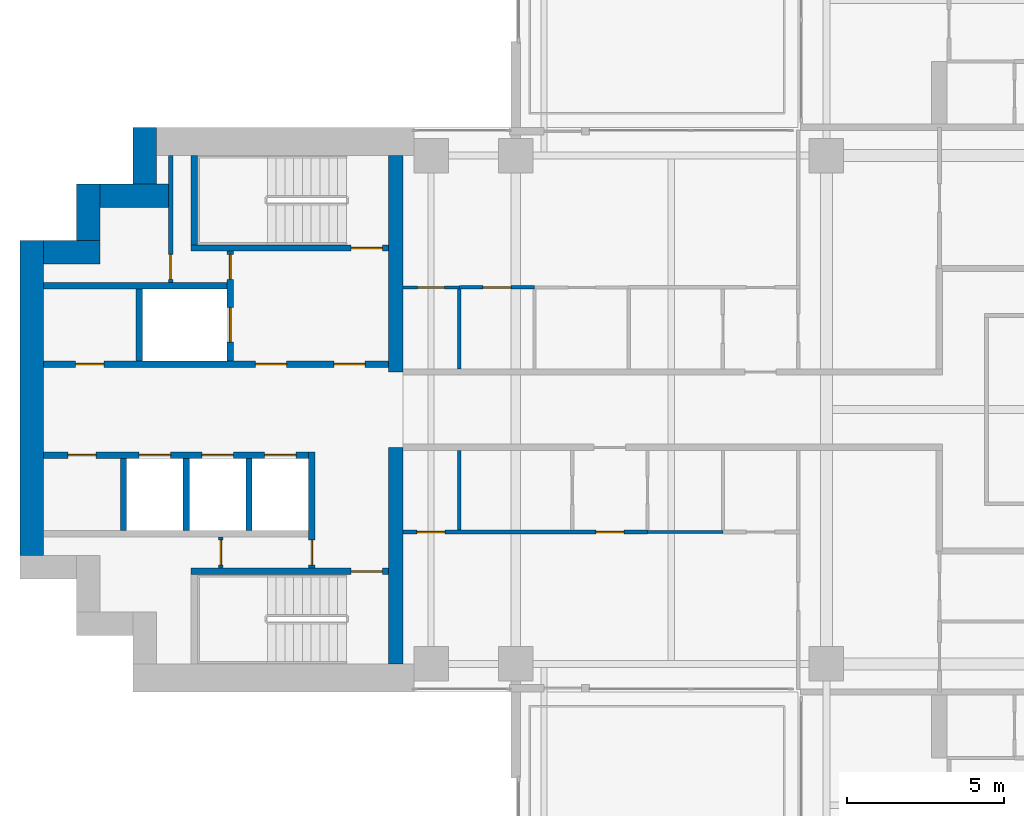
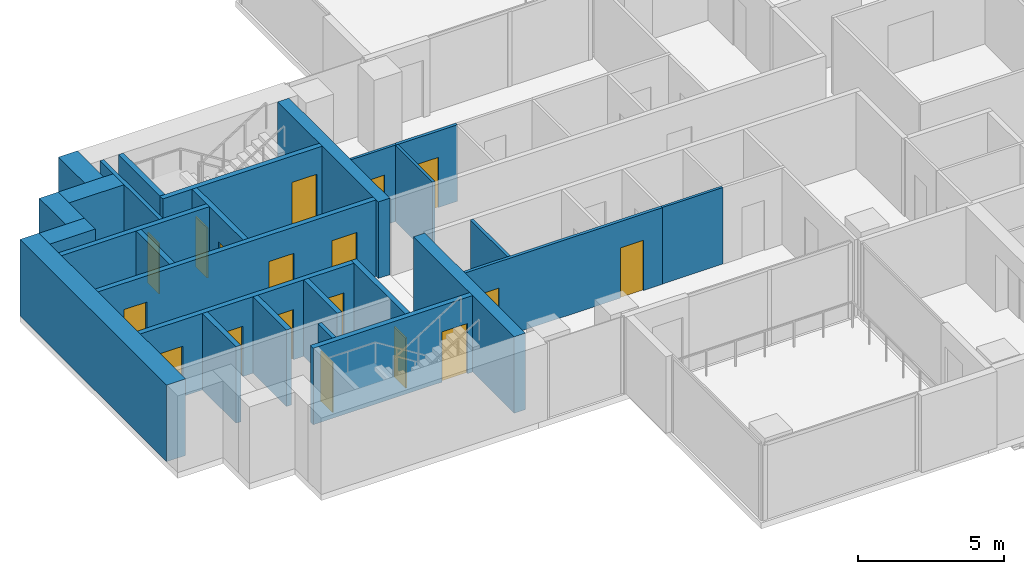
# One storey, part 9 of 19: 27 walls, 18 doors, 18 openings.
"""IFC4 building model written with IfcOpenShell, lengths in metres."""

from ifc_helpers import new_model, si_unit, direction, frame, frame_2d, origin, place, context, subcontext, project, spatial, rectangle, extrude, material, layer, layer_set, type_object, element, fill, save


model = new_model("IFC4")

# Units and contexts
model_context = context("Model", 3, precision=1e-05, world=origin(), true_north=direction((0.0, 1.0)))
body_context = subcontext(model_context, "Body", "Model", "MODEL_VIEW")
ifc_project = project(units=[si_unit("LENGTHUNIT", "METRE"), si_unit("AREAUNIT", "SQUARE_METRE"), si_unit("VOLUMEUNIT", "CUBIC_METRE"), si_unit("PLANEANGLEUNIT", "RADIAN"), si_unit("MASSUNIT", "GRAM", prefix="KILO")], contexts=[model_context])

# Site, building, storey
site_placement = place(None, origin())
site = spatial("IfcSite", under=ifc_project, at=site_placement, CompositionType="ELEMENT")
building_placement = place(site_placement, origin())
building = spatial("IfcBuilding", under=site, at=building_placement, Name="Perihelion Cross Residences", CompositionType="ELEMENT")
storey_placement = place(building_placement, frame((0.0, 0.0, 151.39990234375)))
storey = spatial("IfcBuildingStorey", under=building, at=storey_placement, Name="L37", CompositionType="ELEMENT", Elevation=151.39990234375)

# Walls
ifc_material_1 = material(Name="Concrete C60/75", Category="concrete")
ifc_layer_1 = layer(ifc_material_1, 0.449951171875)
ifc_layer_set_1 = layer_set([ifc_layer_1], Name="Core wall, inner 450")
wall_type_1 = type_object("IfcWallType", Name="Core wall, inner 450", PredefinedType="SHEAR", material=ifc_layer_set_1)
for number, where, z_axis, x_axis, name in (
    (1, (-21.824951171875, -8.10009765625, 0.0), (0.0, 0.0, 1.0), (0.0, 1.0, 0.0), "West core core wall, inner"),
    (2, (-21.824951171875, 1.199951171875, 0.0), (0.0, 0.0, 1.0), (0.0, 1.0, 0.0), "West core core wall, inner"),
):
    element("IfcWall", number, at=place(storey_placement, frame(where, z_axis=z_axis, x_axis=x_axis)), inside=storey, type_object=wall_type_1, Name=name, PredefinedType="SHEAR", context=body_context, shape_type="SweptSolid", body=[
        extrude(rectangle(XDim=6.900146484375, YDim=0.449951171875, at=frame_2d((3.4501953125, 0.0))), origin(), (0.0, 0.0, 1.0), 3.2001953125),
    ])
ifc_material_2 = material(Name="Concrete C60/75", Category="concrete")
ifc_layer_2 = layer(ifc_material_2, 0.75)
ifc_layer_set_2 = layer_set([ifc_layer_2], Name="Core wall, outer 750")
wall_type_2 = type_object("IfcWallType", Name="Core wall, outer 750", PredefinedType="SHEAR", material=ifc_layer_set_2)
wall_1_placement = place(storey_placement, frame((-33.425048828125, -4.64990234375, 0.0), z_axis=(0.0, 0.0, 1.0), x_axis=(0.0, 1.0, 0.0)))
element("IfcWall", 3, at=wall_1_placement, inside=storey, type_object=wall_type_2, Name="West core core wall, outer", PredefinedType="SHEAR", context=body_context, shape_type="SweptSolid", body=[
    extrude(rectangle(XDim=10.0498046875, YDim=0.75, at=frame_2d((5.02490234375, 0.0))), origin(), (0.0, 0.0, 1.0), 3.2001953125),
])
for number, where, z_axis, x_axis, name in (
    (4, (-33.050048828125, 5.02490234375, 0.0), (0.0, 0.0, 1.0), (1.0, 0.0, 0.0), "West core core wall, outer"),
    (5, (-31.625, 5.39990234375, 0.0), (0.0, 0.0, 1.0), (0.0, 1.0, 0.0), "West core core wall, outer"),
):
    element("IfcWall", number, at=place(storey_placement, frame(where, z_axis=z_axis, x_axis=x_axis)), inside=storey, type_object=wall_type_2, Name=name, PredefinedType="SHEAR", context=body_context, shape_type="SweptSolid", body=[
        extrude(rectangle(XDim=1.800048828125, YDim=0.75, at=frame_2d((0.89990234375, 0.0))), origin(), (0.0, 0.0, 1.0), 3.2001953125),
    ])
wall_2_placement = place(storey_placement, frame((-31.25, 6.824951171875, 0.0), z_axis=(0.0, 0.0, 1.0), x_axis=(1.0, 0.0, 0.0)))
element("IfcWall", 6, at=wall_2_placement, inside=storey, type_object=wall_type_2, Name="West core core wall, outer", PredefinedType="SHEAR", context=body_context, shape_type="SweptSolid", body=[
    extrude(rectangle(XDim=2.175048828125, YDim=0.75, at=frame_2d((1.08740234375, 0.0))), origin(), (0.0, 0.0, 1.0), 3.2001953125),
])
wall_3_placement = place(storey_placement, frame((-29.824951171875, 7.199951171875, 0.0), z_axis=(0.0, 0.0, 1.0), x_axis=(0.0, 1.0, 0.0)))
element("IfcWall", 7, at=wall_3_placement, inside=storey, type_object=wall_type_2, Name="West core core wall, outer", PredefinedType="SHEAR", context=body_context, shape_type="SweptSolid", body=[
    extrude(rectangle(XDim=1.800048828125, YDim=0.75, at=frame_2d((0.89990234375, 0.0))), origin(), (0.0, 0.0, 1.0), 3.2001953125),
])

# Wall, opening, door
ifc_material_3 = material(Name="Concrete C50/60", Category="concrete")
ifc_layer_3 = layer(ifc_material_3, 0.199951171875)
ifc_layer_set_3 = layer_set([ifc_layer_3], Name="Lobby wall 200")
wall_type_3 = type_object("IfcWallType", Name="Lobby wall 200", PredefinedType="SOLIDWALL", material=ifc_layer_set_3)
wall_4_placement = place(storey_placement, frame((-24.5, -5.050048828125, 0.0), z_axis=(0.0, 0.0, 1.0), x_axis=(0.0, 1.0, 0.0)))
wall_4 = element("IfcWall", 8, at=wall_4_placement, inside=storey, type_object=wall_type_3, Name="West core lobby wall", PredefinedType="SOLIDWALL", context=body_context, shape_type="SweptSolid", body=[
    extrude(rectangle(XDim=3.699951171875, YDim=0.199951171875, at=frame_2d((1.85009765625, 0.0))), origin(), (0.0, 0.0, 1.0), 3.2001953125),
])
opening_1_placement = place(wall_4_placement, frame((0.10009765625, 0.0, 0.0)))
opening_1 = element("IfcOpeningElement", 9, at=opening_1_placement, cuts=wall_4, Name="Opening L37.C22", PredefinedType="OPENING", context=body_context, shape_type="SweptSolid", body=[
    extrude(rectangle(XDim=0.800048828125, YDim=2.10009765625, at=frame_2d((0.39990234375, 1.050048828125))), frame((0.0, 0.10986328125, 0.0), z_axis=(0.0, -1.0, 0.0), x_axis=(1.0, 0.0, 0.0)), (0.0, 0.0, 1.0), 0.219970703125),
])
ifc_material_4 = material(Name="Steel, powder coated", Category="steel")
door_type_1 = type_object("IfcDoorType", Name="Riser door 800", OperationType="SINGLE_SWING_LEFT", PredefinedType="DOOR", material=ifc_material_4)
door_1_placement = place(opening_1_placement, origin())
door_1 = element("IfcDoor", 10, at=door_1_placement, inside=storey, type_object=door_type_1, Name="West core riser door", OperationType="SINGLE_SWING_LEFT", OverallHeight=2.10009765625, OverallWidth=0.800048828125, PredefinedType="DOOR", context=body_context, shape_type="SweptSolid", body=[
    extrude(rectangle(XDim=0.800048828125, YDim=2.10009765625, at=frame_2d((0.39990234375, 1.050048828125))), frame((0.0, 0.02490234375, 0.0), z_axis=(0.0, -1.0, 0.0), x_axis=(1.0, 0.0, 0.0)), (0.0, 0.0, 1.0), 0.050048828125),
])
fill(opening_1, door_1)

ifc_material_5 = material(Name="Plasterboard partition")
ifc_layer_4 = layer(ifc_material_5, 0.1201171875)
ifc_layer_set_4 = layer_set([ifc_layer_4], Name="Partition wall 120")
wall_type_4 = type_object("IfcWallType", Name="Partition wall 120", PredefinedType="PARTITIONING", material=ifc_layer_set_4)
wall_5_placement = place(storey_placement, frame((-19.800048828125, 3.89990234375, 0.0), z_axis=(0.0, 0.0, 1.0), x_axis=(1.0, 0.0, 0.0)))
wall_5 = element("IfcWall", 11, at=wall_5_placement, inside=storey, type_object=wall_type_4, Name="Partition L37 W053", PredefinedType="PARTITIONING", context=body_context, shape_type="SweptSolid", body=[
    extrude(rectangle(XDim=2.400146484375, YDim=0.1201171875, at=frame_2d((1.2001953125, 0.0))), origin(), (0.0, 0.0, 1.0), 3.2001953125),
])
opening_2_placement = place(wall_5_placement, frame((0.75, 0.0, 0.0)))
opening_2 = element("IfcOpeningElement", 12, at=opening_2_placement, cuts=wall_5, Name="Opening L37.A25", PredefinedType="OPENING", context=body_context, shape_type="SweptSolid", body=[
    extrude(rectangle(XDim=0.89990234375, YDim=2.10009765625, at=frame_2d((0.449951171875, 1.050048828125))), frame((0.0, 0.070068359375, 0.0), z_axis=(0.0, -1.0, 0.0), x_axis=(1.0, 0.0, 0.0)), (0.0, 0.0, 1.0), 0.14013671875),
])
ifc_material_6 = material(Name="Timber door leaf", Category="wood")
door_type_2 = type_object("IfcDoorType", Name="Interior room door 900 x 2100", OperationType="SINGLE_SWING_LEFT", PredefinedType="DOOR", material=ifc_material_6)
door_2_placement = place(opening_2_placement, origin())
door_2 = element("IfcDoor", 13, at=door_2_placement, inside=storey, type_object=door_type_2, Name="Door L37.A25", OperationType="SINGLE_SWING_RIGHT", OverallHeight=2.10009765625, OverallWidth=0.89990234375, PredefinedType="DOOR", context=body_context, shape_type="SweptSolid", body=[
    extrude(rectangle(XDim=0.89990234375, YDim=2.10009765625, at=frame_2d((0.449951171875, 1.050048828125))), frame((0.0, 0.02490234375, 0.0), z_axis=(0.0, -1.0, 0.0), x_axis=(1.0, 0.0, 0.0)), (0.0, 0.0, 1.0), 0.050048828125),
])
fill(opening_2, door_2)

# Wall, openings, doors
wall_6_placement = place(storey_placement, frame((-13.800048828125, -3.89990234375, 0.0), z_axis=(0.0, 0.0, 1.0), x_axis=(-1.0, 0.0, 0.0)))
wall_6 = element("IfcWall", 14, at=wall_6_placement, inside=storey, type_object=wall_type_4, Name="Partition L37 W062", PredefinedType="PARTITIONING", context=body_context, shape_type="SweptSolid", body=[
    extrude(rectangle(XDim=7.800048828125, YDim=0.1201171875, at=frame_2d((3.89990234375, 0.0))), origin(), (0.0, 0.0, 1.0), 3.2001953125),
])
opening_3_placement = place(wall_6_placement, frame((6.449951171875, 0.0, 0.0)))
opening_3 = element("IfcOpeningElement", 15, at=opening_3_placement, cuts=wall_6, Name="Opening L37.A30", PredefinedType="OPENING", context=body_context, shape_type="SweptSolid", body=[
    extrude(rectangle(XDim=0.89990234375, YDim=2.10009765625, at=frame_2d((0.449951171875, 1.050048828125))), frame((0.0, 0.070068359375, 0.0), z_axis=(0.0, -1.0, 0.0), x_axis=(1.0, 0.0, 0.0)), (0.0, 0.0, 1.0), 0.14013671875),
])
opening_4_placement = place(wall_6_placement, frame((0.75, 0.0, 0.0)))
opening_4 = element("IfcOpeningElement", 16, at=opening_4_placement, cuts=wall_6, Name="Opening L37.A32", PredefinedType="OPENING", context=body_context, shape_type="SweptSolid", body=[
    extrude(rectangle(XDim=0.89990234375, YDim=2.10009765625, at=frame_2d((0.449951171875, 1.050048828125))), frame((0.0, 0.070068359375, 0.0), z_axis=(0.0, -1.0, 0.0), x_axis=(1.0, 0.0, 0.0)), (0.0, 0.0, 1.0), 0.14013671875),
])
door_3_placement = place(opening_3_placement, origin())
door_3 = element("IfcDoor", 17, at=door_3_placement, inside=storey, type_object=door_type_2, Name="Door L37.A30", OperationType="SINGLE_SWING_LEFT", OverallHeight=2.10009765625, OverallWidth=0.89990234375, PredefinedType="DOOR", context=body_context, shape_type="SweptSolid", body=[
    extrude(rectangle(XDim=0.89990234375, YDim=2.10009765625, at=frame_2d((0.449951171875, 1.050048828125))), frame((0.0, 0.02490234375, 0.0), z_axis=(0.0, -1.0, 0.0), x_axis=(1.0, 0.0, 0.0)), (0.0, 0.0, 1.0), 0.050048828125),
])
fill(opening_3, door_3)
door_4_placement = place(opening_4_placement, origin())
door_4 = element("IfcDoor", 18, at=door_4_placement, inside=storey, type_object=door_type_2, Name="Door L37.A32", OperationType="SINGLE_SWING_LEFT", OverallHeight=2.10009765625, OverallWidth=0.89990234375, PredefinedType="DOOR", context=body_context, shape_type="SweptSolid", body=[
    extrude(rectangle(XDim=0.89990234375, YDim=2.10009765625, at=frame_2d((0.449951171875, 1.050048828125))), frame((0.0, 0.02490234375, 0.0), z_axis=(0.0, -1.0, 0.0), x_axis=(1.0, 0.0, 0.0)), (0.0, 0.0, 1.0), 0.050048828125),
])
fill(opening_4, door_4)

# Wall
wall_7_placement = place(storey_placement, frame((-19.800048828125, -3.840087890625, 0.0), z_axis=(0.0, 0.0, 1.0), x_axis=(0.0, 1.0, 0.0)))
element("IfcWall", 19, at=wall_7_placement, inside=storey, type_object=wall_type_4, Name="Partition L37 W063", PredefinedType="PARTITIONING", context=body_context, shape_type="SweptSolid", body=[
    extrude(rectangle(XDim=2.5400390625, YDim=0.1201171875, at=frame_2d((1.27001953125, 0.0))), origin(), (0.0, 0.0, 1.0), 3.2001953125),
])

# Wall, opening, door
ifc_material_7 = material(Name="Fire-rated board on steel stud", Category="steel")
ifc_layer_5 = layer(ifc_material_7, 0.14990234375)
ifc_layer_set_5 = layer_set([ifc_layer_5], Name="Riser wall 150")
wall_type_5 = type_object("IfcWallType", Name="Riser wall 150", PredefinedType="PARTITIONING", material=ifc_layer_set_5)
wall_8_placement = place(storey_placement, frame((-29.0, 4.050048828125, 0.0), z_axis=(0.0, 0.0, 1.0), x_axis=(0.0, 1.0, 0.0)))
wall_8 = element("IfcWall", 20, at=wall_8_placement, inside=storey, type_object=wall_type_5, Name="West core riser wall", PredefinedType="PARTITIONING", context=body_context, shape_type="SweptSolid", body=[
    extrude(rectangle(XDim=4.050048828125, YDim=0.14990234375, at=frame_2d((2.02490234375, 0.0))), origin(), (0.0, 0.0, 1.0), 3.2001953125),
])
opening_5_placement = place(wall_8_placement, frame((0.10009765625, 0.0, 0.0)))
opening_5 = element("IfcOpeningElement", 21, at=opening_5_placement, cuts=wall_8, Name="Opening L37.C26", PredefinedType="OPENING", context=body_context, shape_type="SweptSolid", body=[
    extrude(rectangle(XDim=0.800048828125, YDim=2.10009765625, at=frame_2d((0.39990234375, 1.050048828125))), frame((0.0, 0.0849609375, 0.0), z_axis=(0.0, -1.0, 0.0), x_axis=(1.0, 0.0, 0.0)), (0.0, 0.0, 1.0), 0.169921875),
])
door_5_placement = place(opening_5_placement, origin())
door_5 = element("IfcDoor", 22, at=door_5_placement, inside=storey, type_object=door_type_1, Name="West core riser door", OperationType="SINGLE_SWING_LEFT", OverallHeight=2.10009765625, OverallWidth=0.800048828125, PredefinedType="DOOR", context=body_context, shape_type="SweptSolid", body=[
    extrude(rectangle(XDim=0.800048828125, YDim=2.10009765625, at=frame_2d((0.39990234375, 1.050048828125))), frame((0.0, 0.02490234375, 0.0), z_axis=(0.0, -1.0, 0.0), x_axis=(1.0, 0.0, 0.0)), (0.0, 0.0, 1.0), 0.050048828125),
])
fill(opening_5, door_5)

wall_9_placement = place(storey_placement, frame((-27.39990234375, -5.050048828125, 0.0), z_axis=(0.0, 0.0, 1.0), x_axis=(0.0, 1.0, 0.0)))
wall_9 = element("IfcWall", 23, at=wall_9_placement, inside=storey, type_object=wall_type_5, Name="West core riser wall", PredefinedType="PARTITIONING", context=body_context, shape_type="SweptSolid", body=[
    extrude(rectangle(XDim=1.0, YDim=0.14990234375, at=frame_2d((0.5, 0.0))), origin(), (0.0, 0.0, 1.0), 3.2001953125),
])
opening_6_placement = place(wall_9_placement, frame((0.10009765625, 0.0, 0.0)))
opening_6 = element("IfcOpeningElement", 24, at=opening_6_placement, cuts=wall_9, Name="Opening L37.C25", PredefinedType="OPENING", context=body_context, shape_type="SweptSolid", body=[
    extrude(rectangle(XDim=0.800048828125, YDim=2.10009765625, at=frame_2d((0.39990234375, 1.050048828125))), frame((0.0, 0.0849609375, 0.0), z_axis=(0.0, -1.0, 0.0), x_axis=(1.0, 0.0, 0.0)), (0.0, 0.0, 1.0), 0.169921875),
])
door_6_placement = place(opening_6_placement, origin())
door_6 = element("IfcDoor", 25, at=door_6_placement, inside=storey, type_object=door_type_1, Name="West core riser door", OperationType="SINGLE_SWING_LEFT", OverallHeight=2.10009765625, OverallWidth=0.800048828125, PredefinedType="DOOR", context=body_context, shape_type="SweptSolid", body=[
    extrude(rectangle(XDim=0.800048828125, YDim=2.10009765625, at=frame_2d((0.39990234375, 1.050048828125))), frame((0.0, 0.02490234375, 0.0), z_axis=(0.0, -1.0, 0.0), x_axis=(1.0, 0.0, 0.0)), (0.0, 0.0, 1.0), 0.050048828125),
])
fill(opening_6, door_6)

# Wall, openings, doors
ifc_material_8 = material(Name="Concrete C50/60", Category="concrete")
ifc_layer_6 = layer(ifc_material_8, 0.199951171875)
ifc_layer_set_6 = layer_set([ifc_layer_6], Name="Shaft wall 200")
wall_type_6 = type_object("IfcWallType", Name="Shaft wall 200", PredefinedType="SOLIDWALL", material=ifc_layer_set_6)
wall_10_placement = place(storey_placement, frame((-33.050048828125, 1.449951171875, 0.0), z_axis=(0.0, 0.0, 1.0), x_axis=(1.0, 0.0, 0.0)))
wall_10 = element("IfcWall", 26, at=wall_10_placement, inside=storey, type_object=wall_type_6, Name="West core shaft wall", PredefinedType="SOLIDWALL", context=body_context, shape_type="SweptSolid", body=[
    extrude(rectangle(XDim=11.0, YDim=0.199951171875, at=frame_2d((5.5, 0.0))), origin(), (0.0, 0.0, 1.0), 3.2001953125),
])
opening_7_placement = place(wall_10_placement, frame((9.25, 0.0, 0.0)))
opening_7 = element("IfcOpeningElement", 27, at=opening_7_placement, cuts=wall_10, Name="Opening L37.C21", PredefinedType="OPENING", context=body_context, shape_type="SweptSolid", body=[
    extrude(rectangle(XDim=1.0, YDim=2.10009765625, at=frame_2d((0.5, 1.050048828125))), frame((0.0, 0.10986328125, 0.0), z_axis=(0.0, -1.0, 0.0), x_axis=(1.0, 0.0, 0.0)), (0.0, 0.0, 1.0), 0.219970703125),
])
opening_8_placement = place(wall_10_placement, frame((6.75, 0.0, 0.0)))
opening_8 = element("IfcOpeningElement", 28, at=opening_8_placement, cuts=wall_10, Name="Opening L37.C23", PredefinedType="OPENING", context=body_context, shape_type="SweptSolid", body=[
    extrude(rectangle(XDim=1.0, YDim=2.10009765625, at=frame_2d((0.5, 1.050048828125))), frame((0.0, 0.10986328125, 0.0), z_axis=(0.0, -1.0, 0.0), x_axis=(1.0, 0.0, 0.0)), (0.0, 0.0, 1.0), 0.219970703125),
])
opening_9_placement = place(wall_10_placement, frame((1.02490234375, 0.0, 0.0)))
opening_9 = element("IfcOpeningElement", 29, at=opening_9_placement, cuts=wall_10, Name="Opening L37.C27", PredefinedType="OPENING", context=body_context, shape_type="SweptSolid", body=[
    extrude(rectangle(XDim=0.89990234375, YDim=2.10009765625, at=frame_2d((0.449951171875, 1.050048828125))), frame((0.0, 0.10986328125, 0.0), z_axis=(0.0, -1.0, 0.0), x_axis=(1.0, 0.0, 0.0)), (0.0, 0.0, 1.0), 0.219970703125),
])
ifc_material_9 = material(Name="Steel, powder coated", Category="steel")
door_type_3 = type_object("IfcDoorType", Name="Lobby door 1000", OperationType="SINGLE_SWING_LEFT", PredefinedType="DOOR", material=ifc_material_9)
door_7_placement = place(opening_7_placement, origin())
door_7 = element("IfcDoor", 30, at=door_7_placement, inside=storey, type_object=door_type_3, Name="West core firefighting lobby door", OperationType="SINGLE_SWING_LEFT", OverallHeight=2.10009765625, OverallWidth=1.0, PredefinedType="DOOR", context=body_context, shape_type="SweptSolid", body=[
    extrude(rectangle(XDim=1.0, YDim=2.10009765625, at=frame_2d((0.5, 1.050048828125))), frame((0.0, 0.02490234375, 0.0), z_axis=(0.0, -1.0, 0.0), x_axis=(1.0, 0.0, 0.0)), (0.0, 0.0, 1.0), 0.050048828125),
])
fill(opening_7, door_7)
door_8_placement = place(opening_8_placement, origin())
door_8 = element("IfcDoor", 31, at=door_8_placement, inside=storey, type_object=door_type_3, Name="West core firefighting lobby door", OperationType="SINGLE_SWING_LEFT", OverallHeight=2.10009765625, OverallWidth=1.0, PredefinedType="DOOR", context=body_context, shape_type="SweptSolid", body=[
    extrude(rectangle(XDim=1.0, YDim=2.10009765625, at=frame_2d((0.5, 1.050048828125))), frame((0.0, 0.02490234375, 0.0), z_axis=(0.0, -1.0, 0.0), x_axis=(1.0, 0.0, 0.0)), (0.0, 0.0, 1.0), 0.050048828125),
])
fill(opening_8, door_8)
ifc_material_10 = material(Name="Steel, powder coated", Category="steel")
door_type_4 = type_object("IfcDoorType", Name="Service room door 900", OperationType="SINGLE_SWING_LEFT", PredefinedType="DOOR", material=ifc_material_10)
door_9_placement = place(opening_9_placement, origin())
door_9 = element("IfcDoor", 32, at=door_9_placement, inside=storey, type_object=door_type_4, Name="West core service room door", OperationType="SINGLE_SWING_LEFT", OverallHeight=2.10009765625, OverallWidth=0.89990234375, PredefinedType="DOOR", context=body_context, shape_type="SweptSolid", body=[
    extrude(rectangle(XDim=0.89990234375, YDim=2.10009765625, at=frame_2d((0.449951171875, 1.050048828125))), frame((0.0, 0.02490234375, 0.0), z_axis=(0.0, -1.0, 0.0), x_axis=(1.0, 0.0, 0.0)), (0.0, 0.0, 1.0), 0.050048828125),
])
fill(opening_9, door_9)

wall_11_placement = place(storey_placement, frame((-33.050048828125, -1.449951171875, 0.0), z_axis=(0.0, 0.0, 1.0), x_axis=(1.0, 0.0, 0.0)))
wall_11 = element("IfcWall", 33, at=wall_11_placement, inside=storey, type_object=wall_type_6, Name="West core shaft wall", PredefinedType="SOLIDWALL", context=body_context, shape_type="SweptSolid", body=[
    extrude(rectangle(XDim=8.449951171875, YDim=0.199951171875, at=frame_2d((4.22509765625, 0.0))), origin(), (0.0, 0.0, 1.0), 3.2001953125),
])
opening_10_placement = place(wall_11_placement, frame((7.050048828125, 0.0, 0.0)))
opening_10 = element("IfcOpeningElement", 34, at=opening_10_placement, cuts=wall_11, Name="Opening L37.C15", PredefinedType="OPENING", context=body_context, shape_type="SweptSolid", body=[
    extrude(rectangle(XDim=1.0, YDim=2.10009765625, at=frame_2d((0.5, 1.050048828125))), frame((0.0, 0.10986328125, 0.0), z_axis=(0.0, -1.0, 0.0), x_axis=(1.0, 0.0, 0.0)), (0.0, 0.0, 1.0), 0.219970703125),
])
opening_11_placement = place(wall_11_placement, frame((5.050048828125, 0.0, 0.0)))
opening_11 = element("IfcOpeningElement", 35, at=opening_11_placement, cuts=wall_11, Name="Opening L37.C17", PredefinedType="OPENING", context=body_context, shape_type="SweptSolid", body=[
    extrude(rectangle(XDim=1.0, YDim=2.10009765625, at=frame_2d((0.5, 1.050048828125))), frame((0.0, 0.10986328125, 0.0), z_axis=(0.0, -1.0, 0.0), x_axis=(1.0, 0.0, 0.0)), (0.0, 0.0, 1.0), 0.219970703125),
])
opening_12_placement = place(wall_11_placement, frame((3.050048828125, 0.0, 0.0)))
opening_12 = element("IfcOpeningElement", 36, at=opening_12_placement, cuts=wall_11, Name="Opening L37.C18", PredefinedType="OPENING", context=body_context, shape_type="SweptSolid", body=[
    extrude(rectangle(XDim=1.0, YDim=2.10009765625, at=frame_2d((0.5, 1.050048828125))), frame((0.0, 0.10986328125, 0.0), z_axis=(0.0, -1.0, 0.0), x_axis=(1.0, 0.0, 0.0)), (0.0, 0.0, 1.0), 0.219970703125),
])
opening_13_placement = place(wall_11_placement, frame((0.77490234375, 0.0, 0.0)))
opening_13 = element("IfcOpeningElement", 37, at=opening_13_placement, cuts=wall_11, Name="Opening L37.C28", PredefinedType="OPENING", context=body_context, shape_type="SweptSolid", body=[
    extrude(rectangle(XDim=0.89990234375, YDim=2.10009765625, at=frame_2d((0.449951171875, 1.050048828125))), frame((0.0, 0.10986328125, 0.0), z_axis=(0.0, -1.0, 0.0), x_axis=(1.0, 0.0, 0.0)), (0.0, 0.0, 1.0), 0.219970703125),
])
ifc_material_11 = material(Name="Stainless steel", Category="steel")
door_type_5 = type_object("IfcDoorType", Name="Landing door 1000", OperationType="DOUBLE_DOOR_SLIDING", PredefinedType="DOOR", material=ifc_material_11)
door_10_placement = place(opening_10_placement, origin())
door_10 = element("IfcDoor", 38, at=door_10_placement, inside=storey, type_object=door_type_5, Name="Landing door, West core high-rise lift 1", OperationType="DOUBLE_DOOR_SLIDING", OverallHeight=2.10009765625, OverallWidth=1.0, PredefinedType="DOOR", context=body_context, shape_type="SweptSolid", body=[
    extrude(rectangle(XDim=1.0, YDim=2.10009765625, at=frame_2d((0.5, 1.050048828125))), frame((0.0, 0.02490234375, 0.0), z_axis=(0.0, -1.0, 0.0), x_axis=(1.0, 0.0, 0.0)), (0.0, 0.0, 1.0), 0.050048828125),
])
fill(opening_10, door_10)
door_11_placement = place(opening_11_placement, origin())
door_11 = element("IfcDoor", 39, at=door_11_placement, inside=storey, type_object=door_type_5, Name="Landing door, West core high-rise lift 2", OperationType="DOUBLE_DOOR_SLIDING", OverallHeight=2.10009765625, OverallWidth=1.0, PredefinedType="DOOR", context=body_context, shape_type="SweptSolid", body=[
    extrude(rectangle(XDim=1.0, YDim=2.10009765625, at=frame_2d((0.5, 1.050048828125))), frame((0.0, 0.02490234375, 0.0), z_axis=(0.0, -1.0, 0.0), x_axis=(1.0, 0.0, 0.0)), (0.0, 0.0, 1.0), 0.050048828125),
])
fill(opening_11, door_11)
door_12_placement = place(opening_12_placement, origin())
door_12 = element("IfcDoor", 40, at=door_12_placement, inside=storey, type_object=door_type_5, Name="Landing door, West core high-rise lift 3", OperationType="DOUBLE_DOOR_SLIDING", OverallHeight=2.10009765625, OverallWidth=1.0, PredefinedType="DOOR", context=body_context, shape_type="SweptSolid", body=[
    extrude(rectangle(XDim=1.0, YDim=2.10009765625, at=frame_2d((0.5, 1.050048828125))), frame((0.0, 0.02490234375, 0.0), z_axis=(0.0, -1.0, 0.0), x_axis=(1.0, 0.0, 0.0)), (0.0, 0.0, 1.0), 0.050048828125),
])
fill(opening_12, door_12)
door_13_placement = place(opening_13_placement, origin())
door_13 = element("IfcDoor", 41, at=door_13_placement, inside=storey, type_object=door_type_4, Name="West core service room door", OperationType="SINGLE_SWING_LEFT", OverallHeight=2.10009765625, OverallWidth=0.89990234375, PredefinedType="DOOR", context=body_context, shape_type="SweptSolid", body=[
    extrude(rectangle(XDim=0.89990234375, YDim=2.10009765625, at=frame_2d((0.449951171875, 1.050048828125))), frame((0.0, 0.02490234375, 0.0), z_axis=(0.0, -1.0, 0.0), x_axis=(1.0, 0.0, 0.0)), (0.0, 0.0, 1.0), 0.050048828125),
])
fill(opening_13, door_13)

# Wall
wall_12_placement = place(storey_placement, frame((-33.050048828125, 3.949951171875, 0.0), z_axis=(0.0, 0.0, 1.0), x_axis=(1.0, 0.0, 0.0)))
element("IfcWall", 42, at=wall_12_placement, inside=storey, type_object=wall_type_6, Name="West core shaft wall", PredefinedType="SOLIDWALL", context=body_context, shape_type="SweptSolid", body=[
    extrude(rectangle(XDim=5.85009765625, YDim=0.199951171875, at=frame_2d((2.925048828125, 0.0))), origin(), (0.0, 0.0, 1.0), 3.2001953125),
])

# Wall, openings, doors
wall_13_placement = place(storey_placement, frame((-27.10009765625, 1.550048828125, 0.0), z_axis=(0.0, 0.0, 1.0), x_axis=(0.0, 1.0, 0.0)))
wall_13 = element("IfcWall", 43, at=wall_13_placement, inside=storey, type_object=wall_type_6, Name="West core shaft wall", PredefinedType="SOLIDWALL", context=body_context, shape_type="SweptSolid", body=[
    extrude(rectangle(XDim=3.5, YDim=0.199951171875, at=frame_2d((1.75, 0.0))), origin(), (0.0, 0.0, 1.0), 3.2001953125),
])
opening_14_placement = place(wall_13_placement, frame((0.60009765625, 0.0, 0.0)))
opening_14 = element("IfcOpeningElement", 44, at=opening_14_placement, cuts=wall_13, Name="Opening L37.C16", PredefinedType="OPENING", context=body_context, shape_type="SweptSolid", body=[
    extrude(rectangle(XDim=1.10009765625, YDim=2.10009765625, at=frame_2d((0.550048828125, 1.050048828125))), frame((0.0, 0.10986328125, 0.0), z_axis=(0.0, -1.0, 0.0), x_axis=(1.0, 0.0, 0.0)), (0.0, 0.0, 1.0), 0.219970703125),
])
opening_15_placement = place(wall_13_placement, frame((2.60009765625, 0.0, 0.0)))
opening_15 = element("IfcOpeningElement", 45, at=opening_15_placement, cuts=wall_13, Name="Opening L37.C24", PredefinedType="OPENING", context=body_context, shape_type="SweptSolid", body=[
    extrude(rectangle(XDim=0.800048828125, YDim=2.10009765625, at=frame_2d((0.39990234375, 1.050048828125))), frame((0.0, 0.10986328125, 0.0), z_axis=(0.0, -1.0, 0.0), x_axis=(1.0, 0.0, 0.0)), (0.0, 0.0, 1.0), 0.219970703125),
])
ifc_material_12 = material(Name="Stainless steel", Category="steel")
door_type_6 = type_object("IfcDoorType", Name="Landing door, firefighting lift 1100", OperationType="DOUBLE_DOOR_SLIDING", PredefinedType="DOOR", material=ifc_material_12)
door_14_placement = place(opening_14_placement, origin())
door_14 = element("IfcDoor", 46, at=door_14_placement, inside=storey, type_object=door_type_6, Name="Landing door, West core firefighting and service lift", OperationType="DOUBLE_DOOR_SLIDING", OverallHeight=2.10009765625, OverallWidth=1.10009765625, PredefinedType="DOOR", context=body_context, shape_type="SweptSolid", body=[
    extrude(rectangle(XDim=1.10009765625, YDim=2.10009765625, at=frame_2d((0.550048828125, 1.050048828125))), frame((0.0, 0.02490234375, 0.0), z_axis=(0.0, -1.0, 0.0), x_axis=(1.0, 0.0, 0.0)), (0.0, 0.0, 1.0), 0.050048828125),
])
fill(opening_14, door_14)
door_15_placement = place(opening_15_placement, origin())
door_15 = element("IfcDoor", 47, at=door_15_placement, inside=storey, type_object=door_type_1, Name="West core riser door", OperationType="SINGLE_SWING_LEFT", OverallHeight=2.10009765625, OverallWidth=0.800048828125, PredefinedType="DOOR", context=body_context, shape_type="SweptSolid", body=[
    extrude(rectangle(XDim=0.800048828125, YDim=2.10009765625, at=frame_2d((0.39990234375, 1.050048828125))), frame((0.0, 0.02490234375, 0.0), z_axis=(0.0, -1.0, 0.0), x_axis=(1.0, 0.0, 0.0)), (0.0, 0.0, 1.0), 0.050048828125),
])
fill(opening_15, door_15)

# Walls
for number, where, z_axis, x_axis, name in (
    (48, (-30.0, 1.550048828125, 0.0), (0.0, 0.0, 1.0), (0.0, 1.0, 0.0), "West core shaft wall"),
    (49, (-26.5, -3.85009765625, 0.0), (0.0, 0.0, 1.0), (0.0, 1.0, 0.0), "West core shaft wall"),
    (50, (-28.5, -3.85009765625, 0.0), (0.0, 0.0, 1.0), (0.0, 1.0, 0.0), "West core shaft wall"),
    (51, (-30.5, -3.85009765625, 0.0), (0.0, 0.0, 1.0), (0.0, 1.0, 0.0), "West core shaft wall"),
):
    element("IfcWall", number, at=place(storey_placement, frame(where, z_axis=z_axis, x_axis=x_axis)), inside=storey, type_object=wall_type_6, Name=name, PredefinedType="SOLIDWALL", context=body_context, shape_type="SweptSolid", body=[
        extrude(rectangle(XDim=2.300048828125, YDim=0.199951171875, at=frame_2d((1.14990234375, 0.0))), origin(), (0.0, 0.0, 1.0), 3.2001953125),
    ])

# Wall, opening, door
ifc_material_13 = material(Name="Concrete C50/60", Category="concrete")
ifc_layer_7 = layer(ifc_material_13, 0.199951171875)
ifc_layer_set_7 = layer_set([ifc_layer_7], Name="Stair wall 200")
wall_type_7 = type_object("IfcWallType", Name="Stair wall 200", PredefinedType="SOLIDWALL", material=ifc_layer_set_7)
wall_14_placement = place(storey_placement, frame((-28.35009765625, 5.14990234375, 0.0), z_axis=(0.0, 0.0, 1.0), x_axis=(1.0, 0.0, 0.0)))
wall_14 = element("IfcWall", 52, at=wall_14_placement, inside=storey, type_object=wall_type_7, Name="West core stair wall", PredefinedType="SOLIDWALL", context=body_context, shape_type="SweptSolid", body=[
    extrude(rectangle(XDim=6.300048828125, YDim=0.199951171875, at=frame_2d((3.14990234375, 0.0))), origin(), (0.0, 0.0, 1.0), 3.2001953125),
])
opening_16_placement = place(wall_14_placement, frame((5.10009765625, 0.0, 0.0)))
opening_16 = element("IfcOpeningElement", 53, at=opening_16_placement, cuts=wall_14, Name="Opening L37.C20", PredefinedType="OPENING", context=body_context, shape_type="SweptSolid", body=[
    extrude(rectangle(XDim=1.0, YDim=2.10009765625, at=frame_2d((0.5, 1.050048828125))), frame((0.0, 0.10986328125, 0.0), z_axis=(0.0, -1.0, 0.0), x_axis=(1.0, 0.0, 0.0)), (0.0, 0.0, 1.0), 0.219970703125),
])
ifc_material_14 = material(Name="Steel, powder coated", Category="steel")
door_type_7 = type_object("IfcDoorType", Name="Stair door 1000", OperationType="SINGLE_SWING_LEFT", PredefinedType="DOOR", material=ifc_material_14)
door_16_placement = place(opening_16_placement, origin())
door_16 = element("IfcDoor", 54, at=door_16_placement, inside=storey, type_object=door_type_7, Name="West core stair door", OperationType="SINGLE_SWING_LEFT", OverallHeight=2.10009765625, OverallWidth=1.0, PredefinedType="DOOR", context=body_context, shape_type="SweptSolid", body=[
    extrude(rectangle(XDim=1.0, YDim=2.10009765625, at=frame_2d((0.5, 1.050048828125))), frame((0.0, 0.02490234375, 0.0), z_axis=(0.0, -1.0, 0.0), x_axis=(1.0, 0.0, 0.0)), (0.0, 0.0, 1.0), 0.050048828125),
])
fill(opening_16, door_16)

wall_15_placement = place(storey_placement, frame((-28.35009765625, -5.14990234375, 0.0), z_axis=(0.0, 0.0, 1.0), x_axis=(1.0, 0.0, 0.0)))
wall_15 = element("IfcWall", 55, at=wall_15_placement, inside=storey, type_object=wall_type_7, Name="West core stair wall", PredefinedType="SOLIDWALL", context=body_context, shape_type="SweptSolid", body=[
    extrude(rectangle(XDim=6.300048828125, YDim=0.199951171875, at=frame_2d((3.14990234375, 0.0))), origin(), (0.0, 0.0, 1.0), 3.2001953125),
])
opening_17_placement = place(wall_15_placement, frame((5.10009765625, 0.0, 0.0)))
opening_17 = element("IfcOpeningElement", 56, at=opening_17_placement, cuts=wall_15, Name="Opening L37.C19", PredefinedType="OPENING", context=body_context, shape_type="SweptSolid", body=[
    extrude(rectangle(XDim=1.0, YDim=2.10009765625, at=frame_2d((0.5, 1.050048828125))), frame((0.0, 0.10986328125, 0.0), z_axis=(0.0, -1.0, 0.0), x_axis=(1.0, 0.0, 0.0)), (0.0, 0.0, 1.0), 0.219970703125),
])
door_17_placement = place(opening_17_placement, origin())
door_17 = element("IfcDoor", 57, at=door_17_placement, inside=storey, type_object=door_type_7, Name="West core stair door", OperationType="SINGLE_SWING_LEFT", OverallHeight=2.10009765625, OverallWidth=1.0, PredefinedType="DOOR", context=body_context, shape_type="SweptSolid", body=[
    extrude(rectangle(XDim=1.0, YDim=2.10009765625, at=frame_2d((0.5, 1.050048828125))), frame((0.0, 0.02490234375, 0.0), z_axis=(0.0, -1.0, 0.0), x_axis=(1.0, 0.0, 0.0)), (0.0, 0.0, 1.0), 0.050048828125),
])
fill(opening_17, door_17)

# Walls
wall_16_placement = place(storey_placement, frame((-28.25, 5.25, 0.0), z_axis=(0.0, 0.0, 1.0), x_axis=(0.0, 1.0, 0.0)))
element("IfcWall", 58, at=wall_16_placement, inside=storey, type_object=wall_type_7, Name="West core stair wall", PredefinedType="SOLIDWALL", context=body_context, shape_type="SweptSolid", body=[
    extrude(rectangle(XDim=2.85009765625, YDim=0.199951171875, at=frame_2d((1.425048828125, 0.0))), origin(), (0.0, 0.0, 1.0), 3.2001953125),
])
ifc_material_15 = material(Name="Plasterboard partition")
ifc_layer_8 = layer(ifc_material_15, 0.10009765625)
ifc_layer_set_8 = layer_set([ifc_layer_8], Name="Wet room wall 100")
wall_type_8 = type_object("IfcWallType", Name="Wet room wall 100", PredefinedType="PARTITIONING", material=ifc_layer_set_8)
wall_17_placement = place(storey_placement, frame((-19.800048828125, 1.300048828125, 0.0), z_axis=(0.0, 0.0, 1.0), x_axis=(0.0, 1.0, 0.0)))
element("IfcWall", 59, at=wall_17_placement, inside=storey, type_object=wall_type_8, Name="Partition L37 W052", PredefinedType="PARTITIONING", context=body_context, shape_type="SweptSolid", body=[
    extrude(rectangle(XDim=2.5400390625, YDim=0.10009765625, at=frame_2d((1.27001953125, 0.0))), origin(), (0.0, 0.0, 1.0), 3.2001953125),
])

# Wall, opening, door
wall_18_placement = place(storey_placement, frame((-21.60009765625, 3.89990234375, 0.0), z_axis=(0.0, 0.0, 1.0), x_axis=(1.0, 0.0, 0.0)))
wall_18 = element("IfcWall", 60, at=wall_18_placement, inside=storey, type_object=wall_type_8, Name="Partition L37 W054", PredefinedType="PARTITIONING", context=body_context, shape_type="SweptSolid", body=[
    extrude(rectangle(XDim=1.800048828125, YDim=0.10009765625, at=frame_2d((0.89990234375, 0.0))), origin(), (0.0, 0.0, 1.0), 3.2001953125),
])
opening_18_placement = place(wall_18_placement, frame((0.47509765625, 0.0, 0.0)))
opening_18 = element("IfcOpeningElement", 61, at=opening_18_placement, cuts=wall_18, Name="Opening L37.A22", PredefinedType="OPENING", context=body_context, shape_type="SweptSolid", body=[
    extrude(rectangle(XDim=0.85009765625, YDim=2.10009765625, at=frame_2d((0.425048828125, 1.050048828125))), frame((0.0, 0.06005859375, 0.0), z_axis=(0.0, -1.0, 0.0), x_axis=(1.0, 0.0, 0.0)), (0.0, 0.0, 1.0), 0.1201171875),
])
ifc_material_16 = material(Name="Timber door leaf", Category="wood")
door_type_8 = type_object("IfcDoorType", Name="Interior bathroom door 850 x 2100", OperationType="SINGLE_SWING_LEFT", PredefinedType="DOOR", material=ifc_material_16)
door_18_placement = place(opening_18_placement, origin())
door_18 = element("IfcDoor", 62, at=door_18_placement, inside=storey, type_object=door_type_8, Name="Door L37.A22", OperationType="SINGLE_SWING_LEFT", OverallHeight=2.10009765625, OverallWidth=0.85009765625, PredefinedType="DOOR", context=body_context, shape_type="SweptSolid", body=[
    extrude(rectangle(XDim=0.85009765625, YDim=2.10009765625, at=frame_2d((0.425048828125, 1.050048828125))), frame((0.0, 0.02490234375, 0.0), z_axis=(0.0, -1.0, 0.0), x_axis=(1.0, 0.0, 0.0)), (0.0, 0.0, 1.0), 0.050048828125),
])
fill(opening_18, door_18)

# Wall
wall_19_placement = place(storey_placement, frame((-11.39990234375, -3.89990234375, 0.0), z_axis=(0.0, 0.0, 1.0), x_axis=(-1.0, 0.0, 0.0)))
element("IfcWall", 63, at=wall_19_placement, inside=storey, type_object=wall_type_8, Name="Partition L37 W060", PredefinedType="PARTITIONING", context=body_context, shape_type="SweptSolid", body=[
    extrude(rectangle(XDim=2.400146484375, YDim=0.10009765625, at=frame_2d((1.2001953125, 0.0))), origin(), (0.0, 0.0, 1.0), 3.2001953125),
])

save(model, "model.ifc")
